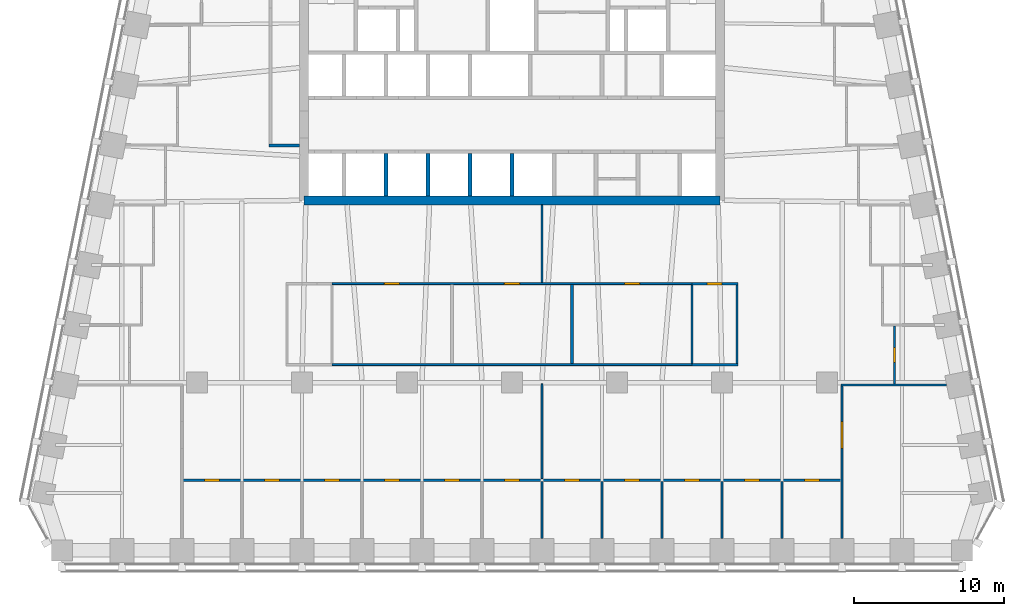
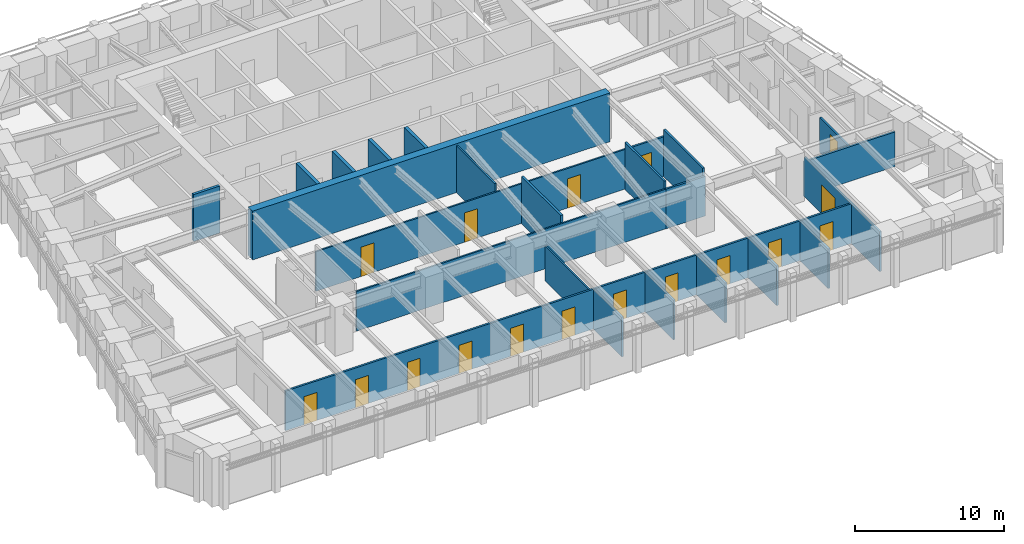
# One storey, part 6 of 11: 24 walls, 17 doors, 17 openings.
"""IFC4 building model written with IfcOpenShell, lengths in metres."""

from ifc_helpers import new_model, si_unit, direction, frame, frame_2d, origin, place, context, subcontext, project, spatial, rectangle, extrude, material, layer, layer_set, type_object, element, fill, save


model = new_model("IFC4")

# Units and contexts
model_context = context("Model", 3, precision=1e-05, world=origin(), true_north=direction((0.0, 1.0)))
body_context = subcontext(model_context, "Body", "Model", "MODEL_VIEW")
ifc_project = project(units=[si_unit("LENGTHUNIT", "METRE"), si_unit("AREAUNIT", "SQUARE_METRE"), si_unit("VOLUMEUNIT", "CUBIC_METRE"), si_unit("PLANEANGLEUNIT", "RADIAN"), si_unit("MASSUNIT", "GRAM", prefix="KILO")], contexts=[model_context])

# Site, building, storey
site_placement = place(None, origin())
site = spatial("IfcSite", under=ifc_project, at=site_placement, CompositionType="ELEMENT")
building_placement = place(site_placement, origin())
building = spatial("IfcBuilding", under=site, at=building_placement, Name="Isbrekke Arena Tower", CompositionType="ELEMENT")
storey_placement = place(building_placement, frame((0.0, 0.0, 206.0)))
storey = spatial("IfcBuildingStorey", under=building, at=storey_placement, Name="L47", CompositionType="ELEMENT", Elevation=206.0)

# Walls
ifc_material_1 = material(Name="Concrete B55 (C55/67)", Category="concrete")
ifc_layer_1 = layer(ifc_material_1, 0.60009765625)
ifc_layer_set_1 = layer_set([ifc_layer_1], Name="CW4 CORE WALL 600")
wall_type_1 = type_object("IfcWallType", Name="CW4 CORE WALL 600", PredefinedType="SHEAR", material=ifc_layer_set_1)
wall_1_placement = place(storey_placement, frame((-13.85009765625, 6.14990234375, 0.0), z_axis=(0.0, 0.0, 1.0), x_axis=(1.0, 0.0, 0.0)))
element("IfcWall", 1, at=wall_1_placement, inside=storey, type_object=wall_type_1, Name="Core wall S L47", PredefinedType="SHEAR", context=body_context, shape_type="SweptSolid", body=[
    extrude(rectangle(XDim=27.7001953125, YDim=0.60009765625, at=frame_2d((13.85009765625, 0.0))), origin(), (0.0, 0.0, 1.0), 4.0),
])
ifc_material_2 = material(Name="Concrete B45 (C45/55)", Category="concrete")
ifc_layer_2 = layer(ifc_material_2, 0.25)
ifc_layer_set_2 = layer_set([ifc_layer_2], Name="CW6 SHAFT WALL 250")
wall_type_2 = type_object("IfcWallType", Name="CW6 SHAFT WALL 250", PredefinedType="SHEAR", material=ifc_layer_set_2)
for number, where, z_axis, x_axis, name in (
    (2, (-8.39990234375, 6.449951171875, 0.0), (0.0, 0.0, 1.0), (0.0, 1.0, 0.0), "Core wall SS02 L47"),
    (3, (-5.60009765625, 6.449951171875, 0.0), (0.0, 0.0, 1.0), (0.0, 1.0, 0.0), "Core wall SS03 L47"),
    (4, (-2.800048828125, 6.449951171875, 0.0), (0.0, 0.0, 1.0), (0.0, 1.0, 0.0), "Core wall SS04 L47"),
    (5, (0.0, 6.449951171875, 0.0), (0.0, 0.0, 1.0), (0.0, 1.0, 0.0), "Core wall SS05 L47"),
):
    element("IfcWall", number, at=place(storey_placement, frame(where, z_axis=z_axis, x_axis=x_axis)), inside=storey, type_object=wall_type_2, Name=name, PredefinedType="SHEAR", context=body_context, shape_type="SweptSolid", body=[
        extrude(rectangle(XDim=2.824951171875, YDim=0.25, at=frame_2d((1.41259765625, 0.0))), origin(), (0.0, 0.0, 1.0), 4.0),
    ])

# Wall, openings, doors
ifc_material_3 = material(Name="Gypsum board partition on steel studs", Category="steel")
ifc_layer_3 = layer(ifc_material_3, 0.14990234375)
ifc_layer_set_3 = layer_set([ifc_layer_3], Name="IW1 PARTITION 150")
wall_type_3 = type_object("IfcWallType", Name="IW1 PARTITION 150", PredefinedType="PARTITIONING", material=ifc_layer_set_3)
wall_2_placement = place(storey_placement, frame((-21.925048828125, -12.5, 0.0), z_axis=(0.0, 0.0, 1.0), x_axis=(1.0, 0.0, 0.0)))
wall_2 = element("IfcWall", 6, at=wall_2_placement, inside=storey, type_object=wall_type_3, Name="IW1 partition 150 L47", PredefinedType="PARTITIONING", context=body_context, shape_type="SweptSolid", body=[
    extrude(rectangle(XDim=43.85009765625, YDim=0.14990234375, at=frame_2d((21.925048828125, 0.0))), origin(), (0.0, 0.0, 1.0), 3.25),
])
opening_1_placement = place(wall_2_placement, frame((1.425048828125, 0.0, 0.0)))
opening_1 = element("IfcOpeningElement", 7, at=opening_1_placement, cuts=wall_2, Name="Opening D10", PredefinedType="OPENING", context=body_context, shape_type="SweptSolid", body=[
    extrude(rectangle(XDim=1.0, YDim=2.300048828125, at=frame_2d((0.5, 1.14990234375))), frame((0.0, 0.08984375, 0.0), z_axis=(0.0, -1.0, 0.0), x_axis=(1.0, 0.0, 0.0)), (0.0, 0.0, 1.0), 0.1796875),
])
opening_2_placement = place(wall_2_placement, frame((5.425048828125, 0.0, 0.0)))
opening_2 = element("IfcOpeningElement", 8, at=opening_2_placement, cuts=wall_2, Name="Opening D10", PredefinedType="OPENING", context=body_context, shape_type="SweptSolid", body=[
    extrude(rectangle(XDim=1.0, YDim=2.300048828125, at=frame_2d((0.5, 1.14990234375))), frame((0.0, 0.08984375, 0.0), z_axis=(0.0, -1.0, 0.0), x_axis=(1.0, 0.0, 0.0)), (0.0, 0.0, 1.0), 0.1796875),
])
opening_3_placement = place(wall_2_placement, frame((9.425048828125, 0.0, 0.0)))
opening_3 = element("IfcOpeningElement", 9, at=opening_3_placement, cuts=wall_2, Name="Opening D10", PredefinedType="OPENING", context=body_context, shape_type="SweptSolid", body=[
    extrude(rectangle(XDim=1.0, YDim=2.300048828125, at=frame_2d((0.5, 1.14990234375))), frame((0.0, 0.08984375, 0.0), z_axis=(0.0, -1.0, 0.0), x_axis=(1.0, 0.0, 0.0)), (0.0, 0.0, 1.0), 0.1796875),
])
opening_4_placement = place(wall_2_placement, frame((13.425048828125, 0.0, 0.0)))
opening_4 = element("IfcOpeningElement", 10, at=opening_4_placement, cuts=wall_2, Name="Opening D10", PredefinedType="OPENING", context=body_context, shape_type="SweptSolid", body=[
    extrude(rectangle(XDim=1.0, YDim=2.300048828125, at=frame_2d((0.5, 1.14990234375))), frame((0.0, 0.08984375, 0.0), z_axis=(0.0, -1.0, 0.0), x_axis=(1.0, 0.0, 0.0)), (0.0, 0.0, 1.0), 0.1796875),
])
opening_5_placement = place(wall_2_placement, frame((17.425048828125, 0.0, 0.0)))
opening_5 = element("IfcOpeningElement", 11, at=opening_5_placement, cuts=wall_2, Name="Opening D10", PredefinedType="OPENING", context=body_context, shape_type="SweptSolid", body=[
    extrude(rectangle(XDim=1.0, YDim=2.300048828125, at=frame_2d((0.5, 1.14990234375))), frame((0.0, 0.08984375, 0.0), z_axis=(0.0, -1.0, 0.0), x_axis=(1.0, 0.0, 0.0)), (0.0, 0.0, 1.0), 0.1796875),
])
opening_6_placement = place(wall_2_placement, frame((21.425048828125, 0.0, 0.0)))
opening_6 = element("IfcOpeningElement", 12, at=opening_6_placement, cuts=wall_2, Name="Opening D10", PredefinedType="OPENING", context=body_context, shape_type="SweptSolid", body=[
    extrude(rectangle(XDim=1.0, YDim=2.300048828125, at=frame_2d((0.5, 1.14990234375))), frame((0.0, 0.08984375, 0.0), z_axis=(0.0, -1.0, 0.0), x_axis=(1.0, 0.0, 0.0)), (0.0, 0.0, 1.0), 0.1796875),
])
opening_7_placement = place(wall_2_placement, frame((25.425048828125, 0.0, 0.0)))
opening_7 = element("IfcOpeningElement", 13, at=opening_7_placement, cuts=wall_2, Name="Opening D10", PredefinedType="OPENING", context=body_context, shape_type="SweptSolid", body=[
    extrude(rectangle(XDim=1.0, YDim=2.300048828125, at=frame_2d((0.5, 1.14990234375))), frame((0.0, 0.08984375, 0.0), z_axis=(0.0, -1.0, 0.0), x_axis=(1.0, 0.0, 0.0)), (0.0, 0.0, 1.0), 0.1796875),
])
opening_8_placement = place(wall_2_placement, frame((29.425048828125, 0.0, 0.0)))
opening_8 = element("IfcOpeningElement", 14, at=opening_8_placement, cuts=wall_2, Name="Opening D10", PredefinedType="OPENING", context=body_context, shape_type="SweptSolid", body=[
    extrude(rectangle(XDim=1.0, YDim=2.300048828125, at=frame_2d((0.5, 1.14990234375))), frame((0.0, 0.08984375, 0.0), z_axis=(0.0, -1.0, 0.0), x_axis=(1.0, 0.0, 0.0)), (0.0, 0.0, 1.0), 0.1796875),
])
opening_9_placement = place(wall_2_placement, frame((33.425048828125, 0.0, 0.0)))
opening_9 = element("IfcOpeningElement", 15, at=opening_9_placement, cuts=wall_2, Name="Opening D10", PredefinedType="OPENING", context=body_context, shape_type="SweptSolid", body=[
    extrude(rectangle(XDim=1.0, YDim=2.300048828125, at=frame_2d((0.5, 1.14990234375))), frame((0.0, 0.08984375, 0.0), z_axis=(0.0, -1.0, 0.0), x_axis=(1.0, 0.0, 0.0)), (0.0, 0.0, 1.0), 0.1796875),
])
opening_10_placement = place(wall_2_placement, frame((37.425048828125, 0.0, 0.0)))
opening_10 = element("IfcOpeningElement", 16, at=opening_10_placement, cuts=wall_2, Name="Opening D10", PredefinedType="OPENING", context=body_context, shape_type="SweptSolid", body=[
    extrude(rectangle(XDim=1.0, YDim=2.300048828125, at=frame_2d((0.5, 1.14990234375))), frame((0.0, 0.08984375, 0.0), z_axis=(0.0, -1.0, 0.0), x_axis=(1.0, 0.0, 0.0)), (0.0, 0.0, 1.0), 0.1796875),
])
opening_11_placement = place(wall_2_placement, frame((41.425048828125, 0.0, 0.0)))
opening_11 = element("IfcOpeningElement", 17, at=opening_11_placement, cuts=wall_2, Name="Opening D10", PredefinedType="OPENING", context=body_context, shape_type="SweptSolid", body=[
    extrude(rectangle(XDim=1.0, YDim=2.300048828125, at=frame_2d((0.5, 1.14990234375))), frame((0.0, 0.08984375, 0.0), z_axis=(0.0, -1.0, 0.0), x_axis=(1.0, 0.0, 0.0)), (0.0, 0.0, 1.0), 0.1796875),
])
ifc_material_4 = material(Name="Timber door", Category="wood")
door_type_1 = type_object("IfcDoorType", Name="D10 OFFICE DOOR 1000 x 2300", OperationType="SINGLE_SWING_LEFT", PredefinedType="DOOR", material=ifc_material_4)
door_1_placement = place(opening_1_placement, origin())
door_1 = element("IfcDoor", 18, at=door_1_placement, inside=storey, type_object=door_type_1, Name="D10 office door L47", OperationType="SINGLE_SWING_LEFT", OverallHeight=2.300048828125, OverallWidth=1.0, PredefinedType="DOOR", context=body_context, shape_type="SweptSolid", body=[
    extrude(rectangle(XDim=1.0, YDim=2.300048828125, at=frame_2d((0.5, 1.14990234375))), frame((0.0, 0.07470703125, 0.0), z_axis=(0.0, -1.0, 0.0), x_axis=(1.0, 0.0, 0.0)), (0.0, 0.0, 1.0), 0.1494140625),
])
fill(opening_1, door_1)
door_2_placement = place(opening_2_placement, origin())
door_2 = element("IfcDoor", 19, at=door_2_placement, inside=storey, type_object=door_type_1, Name="D10 office door L47", OperationType="SINGLE_SWING_LEFT", OverallHeight=2.300048828125, OverallWidth=1.0, PredefinedType="DOOR", context=body_context, shape_type="SweptSolid", body=[
    extrude(rectangle(XDim=1.0, YDim=2.300048828125, at=frame_2d((0.5, 1.14990234375))), frame((0.0, 0.07470703125, 0.0), z_axis=(0.0, -1.0, 0.0), x_axis=(1.0, 0.0, 0.0)), (0.0, 0.0, 1.0), 0.1494140625),
])
fill(opening_2, door_2)
door_3_placement = place(opening_3_placement, origin())
door_3 = element("IfcDoor", 20, at=door_3_placement, inside=storey, type_object=door_type_1, Name="D10 office door L47", OperationType="SINGLE_SWING_LEFT", OverallHeight=2.300048828125, OverallWidth=1.0, PredefinedType="DOOR", context=body_context, shape_type="SweptSolid", body=[
    extrude(rectangle(XDim=1.0, YDim=2.300048828125, at=frame_2d((0.5, 1.14990234375))), frame((0.0, 0.07470703125, 0.0), z_axis=(0.0, -1.0, 0.0), x_axis=(1.0, 0.0, 0.0)), (0.0, 0.0, 1.0), 0.1494140625),
])
fill(opening_3, door_3)
door_4_placement = place(opening_4_placement, origin())
door_4 = element("IfcDoor", 21, at=door_4_placement, inside=storey, type_object=door_type_1, Name="D10 office door L47", OperationType="SINGLE_SWING_LEFT", OverallHeight=2.300048828125, OverallWidth=1.0, PredefinedType="DOOR", context=body_context, shape_type="SweptSolid", body=[
    extrude(rectangle(XDim=1.0, YDim=2.300048828125, at=frame_2d((0.5, 1.14990234375))), frame((0.0, 0.07470703125, 0.0), z_axis=(0.0, -1.0, 0.0), x_axis=(1.0, 0.0, 0.0)), (0.0, 0.0, 1.0), 0.1494140625),
])
fill(opening_4, door_4)
door_5_placement = place(opening_5_placement, origin())
door_5 = element("IfcDoor", 22, at=door_5_placement, inside=storey, type_object=door_type_1, Name="D10 office door L47", OperationType="SINGLE_SWING_LEFT", OverallHeight=2.300048828125, OverallWidth=1.0, PredefinedType="DOOR", context=body_context, shape_type="SweptSolid", body=[
    extrude(rectangle(XDim=1.0, YDim=2.300048828125, at=frame_2d((0.5, 1.14990234375))), frame((0.0, 0.07470703125, 0.0), z_axis=(0.0, -1.0, 0.0), x_axis=(1.0, 0.0, 0.0)), (0.0, 0.0, 1.0), 0.1494140625),
])
fill(opening_5, door_5)
door_6_placement = place(opening_6_placement, origin())
door_6 = element("IfcDoor", 23, at=door_6_placement, inside=storey, type_object=door_type_1, Name="D10 office door L47", OperationType="SINGLE_SWING_LEFT", OverallHeight=2.300048828125, OverallWidth=1.0, PredefinedType="DOOR", context=body_context, shape_type="SweptSolid", body=[
    extrude(rectangle(XDim=1.0, YDim=2.300048828125, at=frame_2d((0.5, 1.14990234375))), frame((0.0, 0.07470703125, 0.0), z_axis=(0.0, -1.0, 0.0), x_axis=(1.0, 0.0, 0.0)), (0.0, 0.0, 1.0), 0.1494140625),
])
fill(opening_6, door_6)
door_7_placement = place(opening_7_placement, origin())
door_7 = element("IfcDoor", 24, at=door_7_placement, inside=storey, type_object=door_type_1, Name="D10 office door L47", OperationType="SINGLE_SWING_LEFT", OverallHeight=2.300048828125, OverallWidth=1.0, PredefinedType="DOOR", context=body_context, shape_type="SweptSolid", body=[
    extrude(rectangle(XDim=1.0, YDim=2.300048828125, at=frame_2d((0.5, 1.14990234375))), frame((0.0, 0.07470703125, 0.0), z_axis=(0.0, -1.0, 0.0), x_axis=(1.0, 0.0, 0.0)), (0.0, 0.0, 1.0), 0.1494140625),
])
fill(opening_7, door_7)
door_8_placement = place(opening_8_placement, origin())
door_8 = element("IfcDoor", 25, at=door_8_placement, inside=storey, type_object=door_type_1, Name="D10 office door L47", OperationType="SINGLE_SWING_LEFT", OverallHeight=2.300048828125, OverallWidth=1.0, PredefinedType="DOOR", context=body_context, shape_type="SweptSolid", body=[
    extrude(rectangle(XDim=1.0, YDim=2.300048828125, at=frame_2d((0.5, 1.14990234375))), frame((0.0, 0.07470703125, 0.0), z_axis=(0.0, -1.0, 0.0), x_axis=(1.0, 0.0, 0.0)), (0.0, 0.0, 1.0), 0.1494140625),
])
fill(opening_8, door_8)
door_9_placement = place(opening_9_placement, origin())
door_9 = element("IfcDoor", 26, at=door_9_placement, inside=storey, type_object=door_type_1, Name="D10 office door L47", OperationType="SINGLE_SWING_LEFT", OverallHeight=2.300048828125, OverallWidth=1.0, PredefinedType="DOOR", context=body_context, shape_type="SweptSolid", body=[
    extrude(rectangle(XDim=1.0, YDim=2.300048828125, at=frame_2d((0.5, 1.14990234375))), frame((0.0, 0.07470703125, 0.0), z_axis=(0.0, -1.0, 0.0), x_axis=(1.0, 0.0, 0.0)), (0.0, 0.0, 1.0), 0.1494140625),
])
fill(opening_9, door_9)
door_10_placement = place(opening_10_placement, origin())
door_10 = element("IfcDoor", 27, at=door_10_placement, inside=storey, type_object=door_type_1, Name="D10 office door L47", OperationType="SINGLE_SWING_LEFT", OverallHeight=2.300048828125, OverallWidth=1.0, PredefinedType="DOOR", context=body_context, shape_type="SweptSolid", body=[
    extrude(rectangle(XDim=1.0, YDim=2.300048828125, at=frame_2d((0.5, 1.14990234375))), frame((0.0, 0.07470703125, 0.0), z_axis=(0.0, -1.0, 0.0), x_axis=(1.0, 0.0, 0.0)), (0.0, 0.0, 1.0), 0.1494140625),
])
fill(opening_10, door_10)
door_11_placement = place(opening_11_placement, origin())
door_11 = element("IfcDoor", 28, at=door_11_placement, inside=storey, type_object=door_type_1, Name="D10 office door L47", OperationType="SINGLE_SWING_LEFT", OverallHeight=2.300048828125, OverallWidth=1.0, PredefinedType="DOOR", context=body_context, shape_type="SweptSolid", body=[
    extrude(rectangle(XDim=1.0, YDim=2.300048828125, at=frame_2d((0.5, 1.14990234375))), frame((0.0, 0.07470703125, 0.0), z_axis=(0.0, -1.0, 0.0), x_axis=(1.0, 0.0, 0.0)), (0.0, 0.0, 1.0), 0.1494140625),
])
fill(opening_11, door_11)

# Walls
wall_3_placement = place(storey_placement, frame((21.925048828125, -6.159912109375, 0.0), z_axis=(0.0, 0.0, 1.0), x_axis=(1.0, 0.0, 0.0)))
element("IfcWall", 29, at=wall_3_placement, inside=storey, type_object=wall_type_3, Name="IW1 partition 150 L47", PredefinedType="PARTITIONING", context=body_context, shape_type="SweptSolid", body=[
    extrude(rectangle(XDim=7.0498046875, YDim=0.14990234375, at=frame_2d((3.52490234375, 0.0))), origin(), (0.0, 0.0, 1.0), 2.842041015625),
])
wall_4_placement = place(storey_placement, frame((12.0, -4.800048828125, 0.0), z_axis=(0.0, 0.0, 1.0), x_axis=(1.0, 0.0, 0.0)))
element("IfcWall", 30, at=wall_4_placement, inside=storey, type_object=wall_type_3, Name="IW1 partition 150 L47", PredefinedType="PARTITIONING", context=body_context, shape_type="SweptSolid", body=[
    extrude(rectangle(XDim=3.074951171875, YDim=0.14990234375, at=frame_2d((1.53759765625, 0.0))), origin(), (0.0, 0.0, 1.0), 3.25),
])

# Wall, opening, door
wall_5_placement = place(storey_placement, frame((12.0, 0.60009765625, 0.0), z_axis=(0.0, 0.0, 1.0), x_axis=(1.0, 0.0, 0.0)))
wall_5 = element("IfcWall", 31, at=wall_5_placement, inside=storey, type_object=wall_type_3, Name="IW1 partition 150 L47", PredefinedType="PARTITIONING", context=body_context, shape_type="SweptSolid", body=[
    extrude(rectangle(XDim=3.074951171875, YDim=0.14990234375, at=frame_2d((1.53759765625, 0.0))), origin(), (0.0, 0.0, 1.0), 3.25),
])
opening_12_placement = place(wall_5_placement, frame((1.0, 0.0, 0.0)))
opening_12 = element("IfcOpeningElement", 32, at=opening_12_placement, cuts=wall_5, Name="Opening D10", PredefinedType="OPENING", context=body_context, shape_type="SweptSolid", body=[
    extrude(rectangle(XDim=1.0, YDim=2.300048828125, at=frame_2d((0.5, 1.14990234375))), frame((0.0, 0.08984375, 0.0), z_axis=(0.0, -1.0, 0.0), x_axis=(1.0, 0.0, 0.0)), (0.0, 0.0, 1.0), 0.1796875),
])
door_12_placement = place(opening_12_placement, origin())
door_12 = element("IfcDoor", 33, at=door_12_placement, inside=storey, type_object=door_type_1, Name="D10 store door L47", OperationType="SINGLE_SWING_LEFT", OverallHeight=2.300048828125, OverallWidth=1.0, PredefinedType="DOOR", context=body_context, shape_type="SweptSolid", body=[
    extrude(rectangle(XDim=1.0, YDim=2.300048828125, at=frame_2d((0.5, 1.14990234375))), frame((0.0, 0.07470703125, 0.0), z_axis=(0.0, -1.0, 0.0), x_axis=(1.0, 0.0, 0.0)), (0.0, 0.0, 1.0), 0.1494140625),
])
fill(opening_12, door_12)

# Walls
for number, where, z_axis, x_axis, name in (
    (34, (2.0, -16.375, 0.0), (0.0, 0.0, 1.0), (0.0, 1.0, 0.0), "IW1 partition 150 L47"),
    (35, (6.0, -16.375, 0.0), (0.0, 0.0, 1.0), (0.0, 1.0, 0.0), "IW1 partition 150 L47"),
    (36, (10.0, -16.375, 0.0), (0.0, 0.0, 1.0), (0.0, 1.0, 0.0), "IW1 partition 150 L47"),
):
    element("IfcWall", number, at=place(storey_placement, frame(where, z_axis=z_axis, x_axis=x_axis)), inside=storey, type_object=wall_type_3, Name=name, PredefinedType="PARTITIONING", context=body_context, shape_type="SweptSolid", body=[
        extrude(rectangle(XDim=3.800048828125, YDim=0.14990234375, at=frame_2d((1.89990234375, 0.0))), origin(), (0.0, 0.0, 1.0), 3.25),
    ])
wall_6_placement = place(storey_placement, frame((12.0, -4.72509765625, 0.0), z_axis=(0.0, 0.0, 1.0), x_axis=(0.0, 1.0, 0.0)))
element("IfcWall", 37, at=wall_6_placement, inside=storey, type_object=wall_type_3, Name="IW1 partition 150 L47", PredefinedType="PARTITIONING", context=body_context, shape_type="SweptSolid", body=[
    extrude(rectangle(XDim=5.25, YDim=0.14990234375, at=frame_2d((2.625, 0.0))), origin(), (0.0, 0.0, 1.0), 3.85009765625),
])
wall_7_placement = place(storey_placement, frame((14.0, -16.375, 0.0), z_axis=(0.0, 0.0, 1.0), x_axis=(0.0, 1.0, 0.0)))
element("IfcWall", 38, at=wall_7_placement, inside=storey, type_object=wall_type_3, Name="IW1 partition 150 L47", PredefinedType="PARTITIONING", context=body_context, shape_type="SweptSolid", body=[
    extrude(rectangle(XDim=3.800048828125, YDim=0.14990234375, at=frame_2d((1.89990234375, 0.0))), origin(), (0.0, 0.0, 1.0), 3.25),
])
wall_8_placement = place(storey_placement, frame((15.0, -4.72509765625, 0.0), z_axis=(0.0, 0.0, 1.0), x_axis=(0.0, 1.0, 0.0)))
element("IfcWall", 39, at=wall_8_placement, inside=storey, type_object=wall_type_3, Name="IW1 partition 150 L47", PredefinedType="PARTITIONING", context=body_context, shape_type="SweptSolid", body=[
    extrude(rectangle(XDim=5.25, YDim=0.14990234375, at=frame_2d((2.625, 0.0))), origin(), (0.0, 0.0, 1.0), 3.85009765625),
])
wall_9_placement = place(storey_placement, frame((18.0, -16.375, 0.0), z_axis=(0.0, 0.0, 1.0), x_axis=(0.0, 1.0, 0.0)))
element("IfcWall", 40, at=wall_9_placement, inside=storey, type_object=wall_type_3, Name="IW1 partition 150 L47", PredefinedType="PARTITIONING", context=body_context, shape_type="SweptSolid", body=[
    extrude(rectangle(XDim=3.800048828125, YDim=0.14990234375, at=frame_2d((1.89990234375, 0.0))), origin(), (0.0, 0.0, 1.0), 3.25),
])

# Wall, opening, door
wall_10_placement = place(storey_placement, frame((22.0, -16.375, 0.0), z_axis=(0.0, 0.0, 1.0), x_axis=(0.0, 1.0, 0.0)))
wall_10 = element("IfcWall", 41, at=wall_10_placement, inside=storey, type_object=wall_type_3, Name="IW1 partition 150 L47", PredefinedType="PARTITIONING", context=body_context, shape_type="SweptSolid", body=[
    extrude(rectangle(XDim=10.139892578125, YDim=0.14990234375, at=frame_2d((5.06982421875, 0.0))), origin(), (0.0, 0.0, 1.0), 3.25),
])
opening_13_placement = place(wall_10_placement, frame((5.97509765625, 0.0, 0.0)))
opening_13 = element("IfcOpeningElement", 42, at=opening_13_placement, cuts=wall_10, Name="Opening D13", PredefinedType="OPENING", context=body_context, shape_type="SweptSolid", body=[
    extrude(rectangle(XDim=1.800048828125, YDim=2.39990234375, at=frame_2d((0.89990234375, 1.199951171875))), frame((0.0, 0.08984375, 0.0), z_axis=(0.0, -1.0, 0.0), x_axis=(1.0, 0.0, 0.0)), (0.0, 0.0, 1.0), 0.1796875),
])
ifc_material_5 = material(Name="Timber door pair", Category="wood")
door_type_2 = type_object("IfcDoorType", Name="D13 DOUBLE ROOM DOOR 1800 x 2400", OperationType="DOUBLE_DOOR_SINGLE_SWING", PredefinedType="DOOR", material=ifc_material_5)
door_13_placement = place(opening_13_placement, origin())
door_13 = element("IfcDoor", 43, at=door_13_placement, inside=storey, type_object=door_type_2, Name="D13 office door L47", OperationType="DOUBLE_DOOR_SINGLE_SWING", OverallHeight=2.39990234375, OverallWidth=1.800048828125, PredefinedType="DOOR", context=body_context, shape_type="SweptSolid", body=[
    extrude(rectangle(XDim=1.800048828125, YDim=2.39990234375, at=frame_2d((0.89990234375, 1.199951171875))), frame((0.0, 0.07470703125, 0.0), z_axis=(0.0, -1.0, 0.0), x_axis=(1.0, 0.0, 0.0)), (0.0, 0.0, 1.0), 0.1494140625),
])
fill(opening_13, door_13)

wall_11_placement = place(storey_placement, frame((25.5, -6.0849609375, 0.0), z_axis=(0.0, 0.0, 1.0), x_axis=(0.0, 1.0, 0.0)))
wall_11 = element("IfcWall", 44, at=wall_11_placement, inside=storey, type_object=wall_type_3, Name="IW1 partition 150 L47", PredefinedType="PARTITIONING", context=body_context, shape_type="SweptSolid", body=[
    extrude(rectangle(XDim=3.849853515625, YDim=0.14990234375, at=frame_2d((1.9248046875, 0.0))), origin(), (0.0, 0.0, 1.0), 2.842041015625),
])
opening_14_placement = place(wall_11_placement, frame((1.425048828125, 0.0, 0.0)))
opening_14 = element("IfcOpeningElement", 45, at=opening_14_placement, cuts=wall_11, Name="Opening D10", PredefinedType="OPENING", context=body_context, shape_type="SweptSolid", body=[
    extrude(rectangle(XDim=1.0, YDim=2.300048828125, at=frame_2d((0.5, 1.14990234375))), frame((0.0, 0.08984375, 0.0), z_axis=(0.0, -1.0, 0.0), x_axis=(1.0, 0.0, 0.0)), (0.0, 0.0, 1.0), 0.1796875),
])
door_14_placement = place(opening_14_placement, origin())
door_14 = element("IfcDoor", 46, at=door_14_placement, inside=storey, type_object=door_type_1, Name="D10 office door L47", OperationType="SINGLE_SWING_LEFT", OverallHeight=2.300048828125, OverallWidth=1.0, PredefinedType="DOOR", context=body_context, shape_type="SweptSolid", body=[
    extrude(rectangle(XDim=1.0, YDim=2.300048828125, at=frame_2d((0.5, 1.14990234375))), frame((0.0, 0.07470703125, 0.0), z_axis=(0.0, -1.0, 0.0), x_axis=(1.0, 0.0, 0.0)), (0.0, 0.0, 1.0), 0.1494140625),
])
fill(opening_14, door_14)

# Wall
ifc_material_6 = material(Name="Frameless glazed partition, laminated acoustic glass", Category="glass")
ifc_layer_4 = layer(ifc_material_6, 0.1201171875)
ifc_layer_set_4 = layer_set([ifc_layer_4], Name="IW2 GLAZED PARTITION 120")
wall_type_4 = type_object("IfcWallType", Name="IW2 GLAZED PARTITION 120", PredefinedType="PARTITIONING", material=ifc_layer_set_4)
wall_12_placement = place(storey_placement, frame((-12.0, -4.800048828125, 0.0), z_axis=(0.0, 0.0, 1.0), x_axis=(1.0, 0.0, 0.0)))
element("IfcWall", 47, at=wall_12_placement, inside=storey, type_object=wall_type_4, Name="IW2 glazed partition 120 L47", PredefinedType="PARTITIONING", context=body_context, shape_type="SweptSolid", body=[
    extrude(rectangle(XDim=24.0, YDim=0.1201171875, at=frame_2d((12.0, 0.0))), origin(), (0.0, 0.0, 1.0), 3.25),
])

# Wall, openings, doors
wall_13_placement = place(storey_placement, frame((-12.0, 0.60009765625, 0.0), z_axis=(0.0, 0.0, 1.0), x_axis=(1.0, 0.0, 0.0)))
wall_13 = element("IfcWall", 48, at=wall_13_placement, inside=storey, type_object=wall_type_4, Name="IW2 glazed partition 120 L47", PredefinedType="PARTITIONING", context=body_context, shape_type="SweptSolid", body=[
    extrude(rectangle(XDim=24.0, YDim=0.1201171875, at=frame_2d((12.0, 0.0))), origin(), (0.0, 0.0, 1.0), 3.25),
])
opening_15_placement = place(wall_13_placement, frame((3.5, 0.0, 0.0)))
opening_15 = element("IfcOpeningElement", 49, at=opening_15_placement, cuts=wall_13, Name="Opening D11", PredefinedType="OPENING", context=body_context, shape_type="SweptSolid", body=[
    extrude(rectangle(XDim=1.0, YDim=2.39990234375, at=frame_2d((0.5, 1.199951171875))), frame((0.0, 0.074951171875, 0.0), z_axis=(0.0, -1.0, 0.0), x_axis=(1.0, 0.0, 0.0)), (0.0, 0.0, 1.0), 0.14990234375),
])
opening_16_placement = place(wall_13_placement, frame((11.5, 0.0, 0.0)))
opening_16 = element("IfcOpeningElement", 50, at=opening_16_placement, cuts=wall_13, Name="Opening D11", PredefinedType="OPENING", context=body_context, shape_type="SweptSolid", body=[
    extrude(rectangle(XDim=1.0, YDim=2.39990234375, at=frame_2d((0.5, 1.199951171875))), frame((0.0, 0.074951171875, 0.0), z_axis=(0.0, -1.0, 0.0), x_axis=(1.0, 0.0, 0.0)), (0.0, 0.0, 1.0), 0.14990234375),
])
opening_17_placement = place(wall_13_placement, frame((19.5, 0.0, 0.0)))
opening_17 = element("IfcOpeningElement", 51, at=opening_17_placement, cuts=wall_13, Name="Opening D11", PredefinedType="OPENING", context=body_context, shape_type="SweptSolid", body=[
    extrude(rectangle(XDim=1.0, YDim=2.39990234375, at=frame_2d((0.5, 1.199951171875))), frame((0.0, 0.074951171875, 0.0), z_axis=(0.0, -1.0, 0.0), x_axis=(1.0, 0.0, 0.0)), (0.0, 0.0, 1.0), 0.14990234375),
])
ifc_material_7 = material(Name="Frameless glazed door", Category="glass")
door_type_3 = type_object("IfcDoorType", Name="D11 GLAZED MEETING ROOM DOOR 1000 x 2400", OperationType="SINGLE_SWING_RIGHT", PredefinedType="DOOR", material=ifc_material_7)
door_15_placement = place(opening_15_placement, origin())
door_15 = element("IfcDoor", 52, at=door_15_placement, inside=storey, type_object=door_type_3, Name="D11 meeting room door L47", OperationType="SINGLE_SWING_RIGHT", OverallHeight=2.39990234375, OverallWidth=1.0, PredefinedType="DOOR", context=body_context, shape_type="SweptSolid", body=[
    extrude(rectangle(XDim=1.0, YDim=2.39990234375, at=frame_2d((0.5, 1.199951171875))), frame((0.0, 0.059814453125, 0.0), z_axis=(0.0, -1.0, 0.0), x_axis=(1.0, 0.0, 0.0)), (0.0, 0.0, 1.0), 0.11962890625),
])
fill(opening_15, door_15)
door_16_placement = place(opening_16_placement, origin())
door_16 = element("IfcDoor", 53, at=door_16_placement, inside=storey, type_object=door_type_3, Name="D11 meeting room door L47", OperationType="SINGLE_SWING_RIGHT", OverallHeight=2.39990234375, OverallWidth=1.0, PredefinedType="DOOR", context=body_context, shape_type="SweptSolid", body=[
    extrude(rectangle(XDim=1.0, YDim=2.39990234375, at=frame_2d((0.5, 1.199951171875))), frame((0.0, 0.059814453125, 0.0), z_axis=(0.0, -1.0, 0.0), x_axis=(1.0, 0.0, 0.0)), (0.0, 0.0, 1.0), 0.11962890625),
])
fill(opening_16, door_16)
door_17_placement = place(opening_17_placement, origin())
door_17 = element("IfcDoor", 54, at=door_17_placement, inside=storey, type_object=door_type_3, Name="D11 meeting room door L47", OperationType="SINGLE_SWING_RIGHT", OverallHeight=2.39990234375, OverallWidth=1.0, PredefinedType="DOOR", context=body_context, shape_type="SweptSolid", body=[
    extrude(rectangle(XDim=1.0, YDim=2.39990234375, at=frame_2d((0.5, 1.199951171875))), frame((0.0, 0.059814453125, 0.0), z_axis=(0.0, -1.0, 0.0), x_axis=(1.0, 0.0, 0.0)), (0.0, 0.0, 1.0), 0.11962890625),
])
fill(opening_17, door_17)

# Walls
wall_14_placement = place(storey_placement, frame((2.0009765625, -12.405029296875, 0.0), z_axis=(0.0, 0.0, 1.0), x_axis=(0.0, 1.0, 0.0)))
element("IfcWall", 55, at=wall_14_placement, inside=storey, type_object=wall_type_4, Name="IW2 glazed partition 120 L47", PredefinedType="PARTITIONING", context=body_context, shape_type="SweptSolid", body=[
    extrude(rectangle(XDim=6.324951171875, YDim=0.1201171875, at=frame_2d((3.16259765625, 0.0))), origin(), (0.0, 0.0, 1.0), 2.842041015625),
])
wall_15_placement = place(storey_placement, frame((2.0009765625, 0.679931640625, 0.0), z_axis=(0.0, 0.0, 1.0), x_axis=(0.0, 1.0, 0.0)))
element("IfcWall", 56, at=wall_15_placement, inside=storey, type_object=wall_type_4, Name="IW2 glazed partition 120 L47", PredefinedType="PARTITIONING", context=body_context, shape_type="SweptSolid", body=[
    extrude(rectangle(XDim=5.170166015625, YDim=0.1201171875, at=frame_2d((2.5849609375, 0.0))), origin(), (0.0, 0.0, 1.0), 3.85009765625),
])
ifc_material_8 = material(Name="Gypsum board fire-cell wall on steel studs, two layers each side", Category="steel")
ifc_layer_5 = layer(ifc_material_8, 0.199951171875)
ifc_layer_set_5 = layer_set([ifc_layer_5], Name="IW3 FIRE-CELL WALL 200")
wall_type_5 = type_object("IfcWallType", Name="IW3 FIRE-CELL WALL 200", PredefinedType="PARTITIONING", material=ifc_layer_set_5)
wall_16_placement = place(storey_placement, frame((-16.199951171875, 9.800048828125, 0.0), z_axis=(0.0, 0.0, 1.0), x_axis=(1.0, 0.0, 0.0)))
element("IfcWall", 57, at=wall_16_placement, inside=storey, type_object=wall_type_5, Name="IW3 fire-cell wall 200 L47", PredefinedType="PARTITIONING", context=body_context, shape_type="SweptSolid", body=[
    extrude(rectangle(XDim=2.02001953125, YDim=0.199951171875, at=frame_2d((1.010009765625, 0.0))), origin(), (0.0, 0.0, 1.0), 3.85009765625),
])
ifc_material_9 = material(Name="Gypsum board acoustic partition on twin steel studs", Category="steel")
ifc_layer_6 = layer(ifc_material_9, 0.175048828125)
ifc_layer_set_6 = layer_set([ifc_layer_6], Name="IW4 ACOUSTIC PARTITION 175")
wall_type_6 = type_object("IfcWallType", Name="IW4 ACOUSTIC PARTITION 175", PredefinedType="PARTITIONING", material=ifc_layer_set_6)
wall_17_placement = place(storey_placement, frame((4.0, -4.739990234375, 0.0), z_axis=(0.0, 0.0, 1.0), x_axis=(0.0, 1.0, 0.0)))
element("IfcWall", 58, at=wall_17_placement, inside=storey, type_object=wall_type_6, Name="IW4 acoustic partition 175 L47", PredefinedType="PARTITIONING", context=body_context, shape_type="SweptSolid", body=[
    extrude(rectangle(XDim=5.280029296875, YDim=0.175048828125, at=frame_2d((2.64013671875, 0.0))), origin(), (0.0, 0.0, 1.0), 3.85009765625),
])

save(model, "model.ifc")
